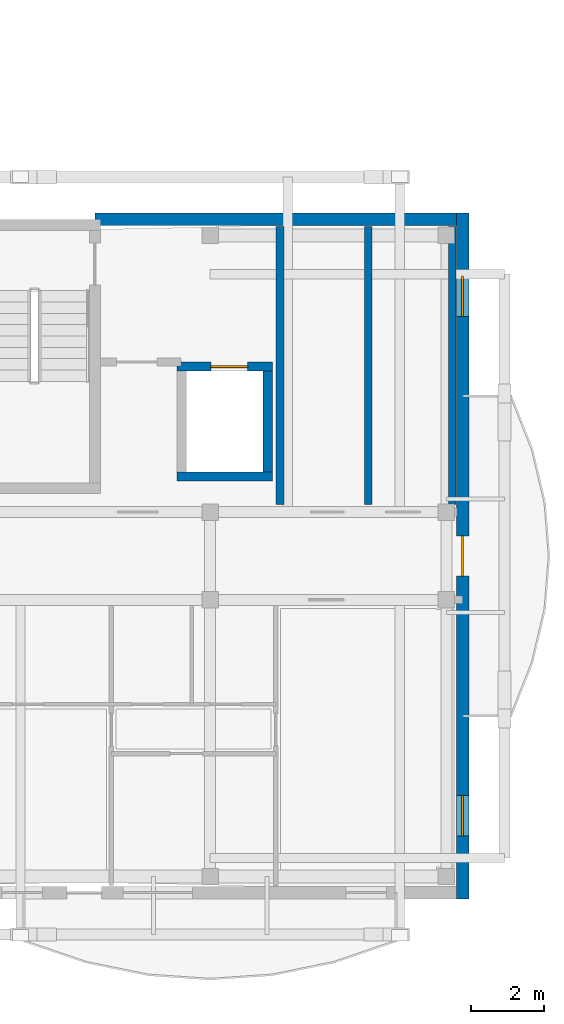
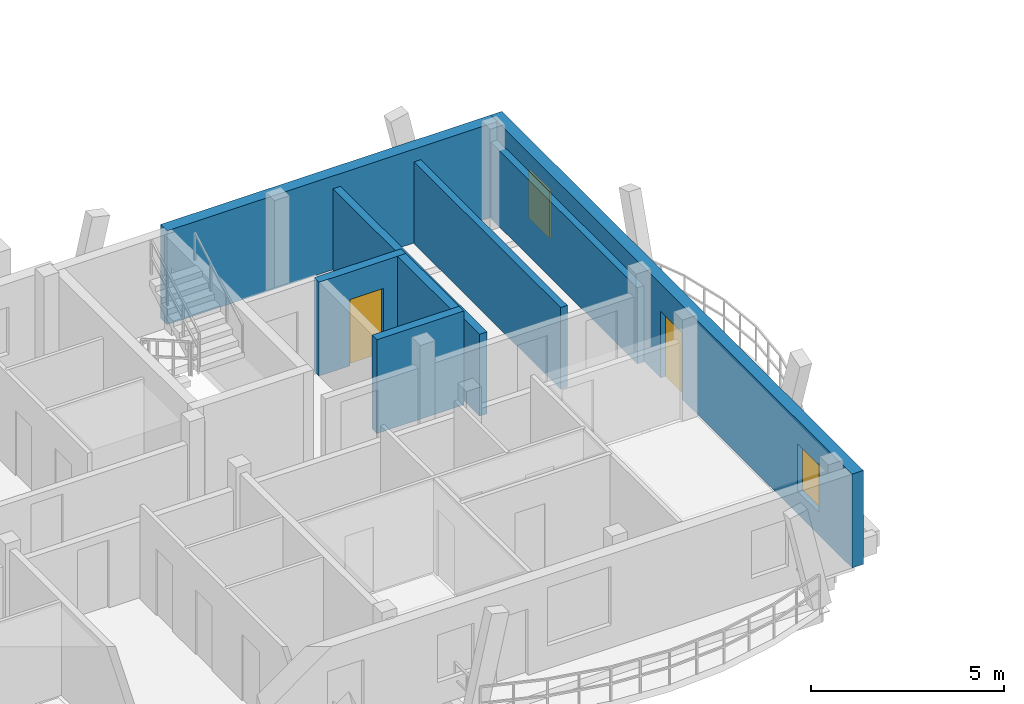
# One storey, part 12 of 21: 8 walls, 2 doors, 2 windows, 4 openings.
"""IFC4 building model written with IfcOpenShell, lengths in metres."""

from ifc_helpers import new_model, si_unit, direction, frame, frame_2d, origin, origin_with_axes, place, context, subcontext, project, spatial, rectangle, extrude, material, layer, layer_set, type_object, element, fill, save


model = new_model("IFC4")

# Units and contexts
model_context = context("Model", 3, precision=1e-05, world=origin(), true_north=direction((0.0, 1.0)))
body_context = subcontext(model_context, "Body", "Model", "MODEL_VIEW")
ifc_project = project(units=[si_unit("LENGTHUNIT", "METRE"), si_unit("AREAUNIT", "SQUARE_METRE"), si_unit("VOLUMEUNIT", "CUBIC_METRE"), si_unit("PLANEANGLEUNIT", "RADIAN"), si_unit("MASSUNIT", "GRAM", prefix="KILO")], contexts=[model_context])

# Site, building, storey
site_placement = place(None, origin())
site = spatial("IfcSite", under=ifc_project, at=site_placement, CompositionType="ELEMENT")
building_placement = place(site_placement, origin())
building = spatial("IfcBuilding", under=site, at=building_placement, Name="Zavelmont Quarter", CompositionType="ELEMENT")
storey_placement = place(building_placement, frame((0.0, 0.0, 36.800048828125)))
storey = spatial("IfcBuildingStorey", under=building, at=storey_placement, Name="L11", CompositionType="ELEMENT", Elevation=36.800048828125)

# Wall
ifc_material_1 = material(Name="Natural Belgian limestone", Category="masonry")
ifc_layer_1 = layer(ifc_material_1, 0.340087890625)
ifc_layer_set_1 = layer_set([ifc_layer_1], Name="Natural Belgian limestone")
wall_type_1 = type_object("IfcWallType", Name="EW03", PredefinedType="STANDARD", material=ifc_layer_set_1)
wall_1_placement = place(storey_placement, frame((31.35009765625, 18.39990234375, 0.0), z_axis=(0.0, 0.0, 1.0), x_axis=(1.0, 0.0, 0.0)))
element("IfcWall", 1, at=wall_1_placement, inside=storey, type_object=wall_type_1, Name="L11 exterior limestone wall EW03", PredefinedType="STANDARD", context=body_context, shape_type="SweptSolid", body=[
    extrude(rectangle(XDim=9.889892578125, YDim=0.340087890625, at=frame_2d((4.94482421875, 0.0))), origin(), (0.0, 0.0, 1.0), 2.969970703125),
])

# Wall, openings, door, windows
wall_2_placement = place(storey_placement, frame((41.39990234375, -0.169921875, 0.0), z_axis=(0.0, 0.0, 1.0), x_axis=(0.0, 1.0, 0.0)))
wall_2 = element("IfcWall", 2, at=wall_2_placement, inside=storey, type_object=wall_type_1, Name="L11 exterior limestone wall EW03", PredefinedType="STANDARD", context=body_context, shape_type="SweptSolid", body=[
    extrude(rectangle(XDim=18.739990234375, YDim=0.340087890625, at=frame_2d((9.3701171875, 0.0))), origin(), (0.0, 0.0, 1.0), 2.969970703125),
])
opening_1_placement = place(wall_2_placement, frame((8.820068359375, 0.0, 0.0)))
opening_1 = element("IfcOpeningElement", 3, at=opening_1_placement, cuts=wall_2, Name="Opening DR04B", PredefinedType="OPENING", context=body_context, shape_type="SweptSolid", body=[
    extrude(rectangle(XDim=1.10009765625, YDim=2.10009765625, at=frame_2d((0.550048828125, 1.050048828125))), frame((0.0, 0.18212890625, 0.0), z_axis=(0.0, -1.0, 0.0), x_axis=(1.0, 0.0, 0.0)), (0.0, 0.0, 1.0), 0.364013671875),
])
opening_2_placement = place(wall_2_placement, frame((1.719970703125, 0.0, 0.719970703125)))
opening_2 = element("IfcOpeningElement", 4, at=opening_2_placement, cuts=wall_2, Name="Opening WN09", PredefinedType="OPENING", context=body_context, shape_type="SweptSolid", body=[
    extrude(rectangle(XDim=1.10009765625, YDim=1.5, at=frame_2d((0.550048828125, 0.75))), frame((0.0, 0.18212890625, 0.0), z_axis=(0.0, -1.0, 0.0), x_axis=(1.0, 0.0, 0.0)), (0.0, 0.0, 1.0), 0.364013671875),
])
opening_3_placement = place(wall_2_placement, frame((15.919921875, 0.0, 0.719970703125)))
opening_3 = element("IfcOpeningElement", 5, at=opening_3_placement, cuts=wall_2, Name="Opening WN09", PredefinedType="OPENING", context=body_context, shape_type="SweptSolid", body=[
    extrude(rectangle(XDim=1.10009765625, YDim=1.5, at=frame_2d((0.550048828125, 0.75))), frame((0.0, 0.18212890625, 0.0), z_axis=(0.0, -1.0, 0.0), x_axis=(1.0, 0.0, 0.0)), (0.0, 0.0, 1.0), 0.364013671875),
])
ifc_material_2 = material(Name="Thermally broken aluminium and double safety glass", Category="aluminium")
door_type_1 = type_object("IfcDoorType", Name="DR04B", OperationType="NOTDEFINED", PredefinedType="DOOR", material=ifc_material_2)
door_1_placement = place(opening_1_placement, origin_with_axes())
door_1 = element("IfcDoor", 6, at=door_1_placement, inside=storey, type_object=door_type_1, Name="Block A L11 terrace or vase balcony door", OperationType="SINGLE_SWING_RIGHT", OverallHeight=2.10009765625, OverallWidth=1.10009765625, PredefinedType="DOOR", context=body_context, shape_type="SweptSolid", body=[
    extrude(rectangle(XDim=1.10009765625, YDim=2.10009765625, at=frame_2d((0.550048828125, 1.050048828125))), frame((0.0, 0.02490234375, 0.0), z_axis=(0.0, -1.0, 0.0), x_axis=(1.0, 0.0, 0.0)), (0.0, 0.0, 1.0), 0.050048828125),
])
fill(opening_1, door_1)
ifc_material_3 = material(Name="Double low-E insulated glazing in thermally broken aluminium frame", Category="aluminium")
window_type = type_object("IfcWindowType", Name="WN09", PartitioningType="SINGLE_PANEL", PredefinedType="WINDOW", material=ifc_material_3)
window_1_placement = place(opening_2_placement, origin_with_axes())
window_1 = element("IfcWindow", 7, at=window_1_placement, inside=storey, type_object=window_type, Name="L11 window WN09", OverallHeight=1.5, OverallWidth=1.10009765625, PartitioningType="SINGLE_PANEL", PredefinedType="WINDOW", context=body_context, shape_type="SweptSolid", body=[
    extrude(rectangle(XDim=1.10009765625, YDim=1.5, at=frame_2d((0.550048828125, 0.75))), frame((0.0, 0.030029296875, 0.0), z_axis=(0.0, -1.0, 0.0), x_axis=(1.0, 0.0, 0.0)), (0.0, 0.0, 1.0), 0.06005859375),
])
fill(opening_2, window_1)
window_2_placement = place(opening_3_placement, origin_with_axes())
window_2 = element("IfcWindow", 8, at=window_2_placement, inside=storey, type_object=window_type, Name="L11 window WN09", OverallHeight=1.5, OverallWidth=1.10009765625, PartitioningType="SINGLE_PANEL", PredefinedType="WINDOW", context=body_context, shape_type="SweptSolid", body=[
    extrude(rectangle(XDim=1.10009765625, YDim=1.5, at=frame_2d((0.550048828125, 0.75))), frame((0.0, 0.030029296875, 0.0), z_axis=(0.0, -1.0, 0.0), x_axis=(1.0, 0.0, 0.0)), (0.0, 0.0, 1.0), 0.06005859375),
])
fill(opening_3, window_2)

# Walls
ifc_material_4 = material(Name="Calcium-silicate blockwork and acoustic plaster", Category="masonry")
ifc_layer_2 = layer(ifc_material_4, 0.199951171875)
ifc_layer_set_2 = layer_set([ifc_layer_2], Name="Calcium-silicate blockwork and acoustic plaster")
wall_type_2 = type_object("IfcWallType", Name="IW01", PredefinedType="PARTITIONING", material=ifc_layer_set_2)
wall_3_placement = place(storey_placement, frame((38.824951171875, 10.60009765625, 0.0), z_axis=(0.0, 0.0, 1.0), x_axis=(0.0, 1.0, 0.0)))
element("IfcWall", 9, at=wall_3_placement, inside=storey, type_object=wall_type_2, Name="L11 Service riser divider wall IW01", PredefinedType="PARTITIONING", context=body_context, shape_type="SweptSolid", body=[
    extrude(rectangle(XDim=7.599853515625, YDim=0.199951171875, at=frame_2d((3.7998046875, 0.0))), origin(), (0.0, 0.0, 1.0), 2.58984375),
])
wall_4_placement = place(storey_placement, frame((41.1201171875, 10.60009765625, 0.0), z_axis=(0.0, 0.0, 1.0), x_axis=(0.0, 1.0, 0.0)))
element("IfcWall", 10, at=wall_4_placement, inside=storey, type_object=wall_type_2, Name="L11 Core service end wall IW01", PredefinedType="PARTITIONING", context=body_context, shape_type="SweptSolid", body=[
    extrude(rectangle(XDim=7.599853515625, YDim=0.199951171875, at=frame_2d((3.7998046875, 0.0))), origin(), (0.0, 0.0, 1.0), 2.409912109375),
])
ifc_material_5 = material(Name="Reinforced masonry fire compartment wall", Category="masonry")
ifc_layer_3 = layer(ifc_material_5, 0.22509765625)
ifc_layer_set_3 = layer_set([ifc_layer_3], Name="Reinforced masonry fire compartment wall")
wall_type_3 = type_object("IfcWallType", Name="IW02", PredefinedType="PARTITIONING", material=ifc_layer_set_3)
wall_5_placement = place(storey_placement, frame((36.409912109375, 10.60009765625, 0.0), z_axis=(0.0, 0.0, 1.0), x_axis=(0.0, 1.0, 0.0)))
element("IfcWall", 11, at=wall_5_placement, inside=storey, type_object=wall_type_3, Name="L11 Firefighting lobby enclosure wall IW02", PredefinedType="PARTITIONING", context=body_context, shape_type="SweptSolid", body=[
    extrude(rectangle(XDim=7.599853515625, YDim=0.22509765625, at=frame_2d((3.7998046875, 0.0))), origin(), (0.0, 0.0, 1.0), 2.58984375),
])

# Wall, opening, door
ifc_material_6 = material(Name="Concrete C40/50", Category="concrete")
ifc_layer_4 = layer(ifc_material_6, 0.25)
ifc_layer_set_4 = layer_set([ifc_layer_4], Name="Concrete C40/50")
wall_type_4 = type_object("IfcWallType", Name="SW02", PredefinedType="SHEAR", material=ifc_layer_set_4)
wall_6_placement = place(storey_placement, frame((33.60009765625, 14.375, 0.0), z_axis=(0.0, 0.0, 1.0), x_axis=(1.0, 0.0, 0.0)))
wall_6 = element("IfcWall", 12, at=wall_6_placement, inside=storey, type_object=wall_type_4, Name="L11 Lift LF02 landing shaft wall SW02", PredefinedType="SHEAR", context=body_context, shape_type="SweptSolid", body=[
    extrude(rectangle(XDim=2.599853515625, YDim=0.25, at=frame_2d((1.2998046875, 0.0))), origin(), (0.0, 0.0, 1.0), 2.969970703125),
])
opening_4_placement = place(wall_6_placement, frame((0.925048828125, 0.0, 0.0)))
opening_4 = element("IfcOpeningElement", 13, at=opening_4_placement, cuts=wall_6, Name="Opening LD01", PredefinedType="OPENING", context=body_context, shape_type="SweptSolid", body=[
    extrude(rectangle(XDim=1.0, YDim=2.10009765625, at=frame_2d((0.5, 1.050048828125))), frame((0.0, 0.136962890625, 0.0), z_axis=(0.0, -1.0, 0.0), x_axis=(1.0, 0.0, 0.0)), (0.0, 0.0, 1.0), 0.27392578125),
])
ifc_material_7 = material(Name="Brushed stainless-steel automatic sliding landing door", Category="steel")
door_type_2 = type_object("IfcDoorType", Name="LD01", OperationType="SLIDING_TO_LEFT", PredefinedType="DOOR", material=ifc_material_7)
door_2_placement = place(opening_4_placement, origin_with_axes())
door_2 = element("IfcDoor", 14, at=door_2_placement, inside=storey, type_object=door_type_2, Name="Lift LF02 sliding landing door", OperationType="SLIDING_TO_LEFT", OverallHeight=2.10009765625, OverallWidth=1.0, PredefinedType="DOOR", context=body_context, shape_type="SweptSolid", body=[
    extrude(rectangle(XDim=1.0, YDim=2.10009765625, at=frame_2d((0.5, 1.050048828125))), frame((0.0, 0.02490234375, 0.0), z_axis=(0.0, -1.0, 0.0), x_axis=(1.0, 0.0, 0.0)), (0.0, 0.0, 1.0), 0.050048828125),
])
fill(opening_4, door_2)

# Walls
wall_7_placement = place(storey_placement, frame((33.60009765625, 11.375, 0.0), z_axis=(0.0, 0.0, 1.0), x_axis=(1.0, 0.0, 0.0)))
element("IfcWall", 15, at=wall_7_placement, inside=storey, type_object=wall_type_4, Name="L11 Lift LF02 back shaft wall SW02", PredefinedType="SHEAR", context=body_context, shape_type="SweptSolid", body=[
    extrude(rectangle(XDim=2.599853515625, YDim=0.25, at=frame_2d((1.2998046875, 0.0))), origin(), (0.0, 0.0, 1.0), 2.969970703125),
])
wall_8_placement = place(storey_placement, frame((36.074951171875, 11.25, 0.0), z_axis=(0.0, 0.0, 1.0), x_axis=(0.0, 1.0, 0.0)))
element("IfcWall", 16, at=wall_8_placement, inside=storey, type_object=wall_type_4, Name="L11 Lift LF02 east shaft wall SW02", PredefinedType="SHEAR", context=body_context, shape_type="SweptSolid", body=[
    extrude(rectangle(XDim=3.25, YDim=0.25, at=frame_2d((1.625, 0.0))), origin(), (0.0, 0.0, 1.0), 2.969970703125),
])

save(model, "model.ifc")
